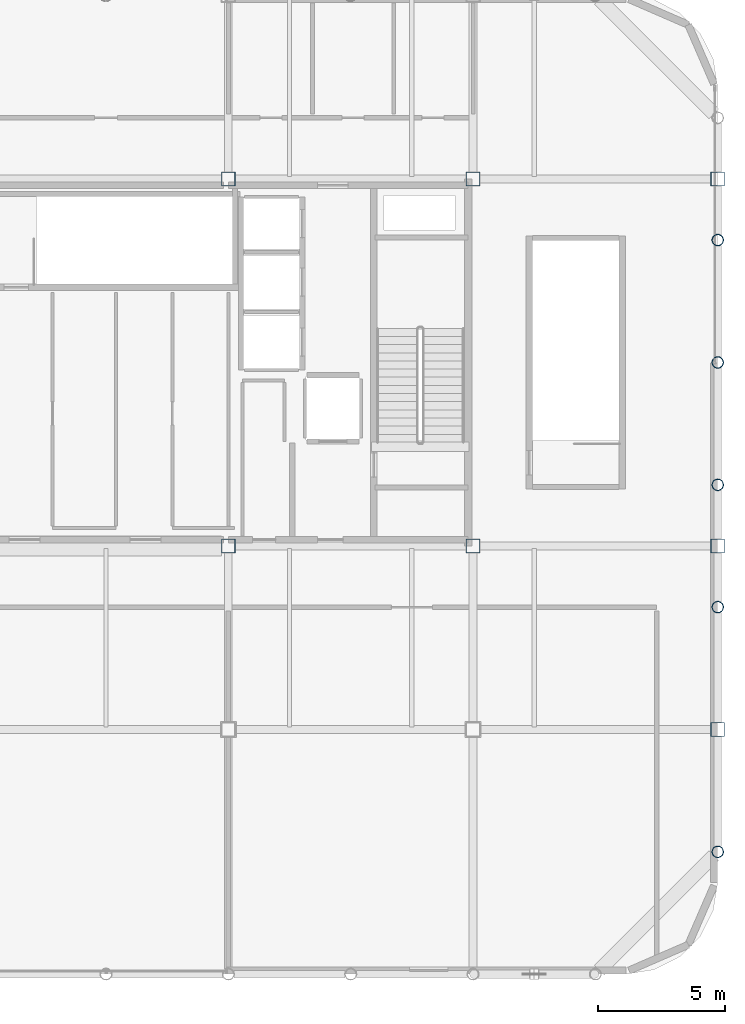
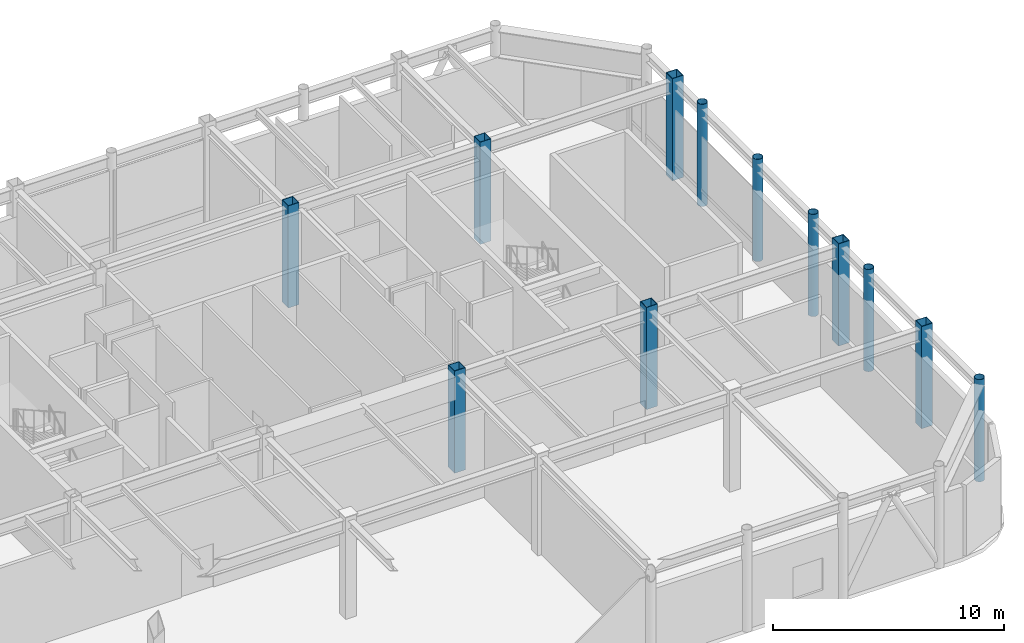
# One storey, part 2 of 21: 12 columns.
"""IFC4 building model written with IfcOpenShell, lengths in metres."""

from ifc_helpers import new_model, si_unit, direction, frame, origin, origin_2d, place, context, subcontext, project, spatial, hollow_rectangle, hollow_circle, extrude, material, material_profile, profile_set, type_object, element, save


model = new_model("IFC4")

# Units and contexts
model_context = context("Model", 3, precision=1e-05, world=origin(), true_north=direction((0.0, 1.0)))
body_context = subcontext(model_context, "Body", "Model", "MODEL_VIEW")
ifc_project = project(units=[si_unit("LENGTHUNIT", "METRE"), si_unit("AREAUNIT", "SQUARE_METRE"), si_unit("VOLUMEUNIT", "CUBIC_METRE"), si_unit("PLANEANGLEUNIT", "RADIAN"), si_unit("MASSUNIT", "GRAM", prefix="KILO")], contexts=[model_context])

# Site, building, storey
site_placement = place(None, origin())
site = spatial("IfcSite", under=ifc_project, at=site_placement, CompositionType="ELEMENT")
building_placement = place(site_placement, origin())
building = spatial("IfcBuilding", under=site, at=building_placement, Name="Kallvorn Hotel Tower", CompositionType="ELEMENT")
storey_placement = place(building_placement, frame((0.0, 0.0, 300.60009765625)))
storey = spatial("IfcBuildingStorey", under=building, at=storey_placement, Name="L74", CompositionType="ELEMENT", Elevation=300.60009765625)

# Columns
ifc_material_1 = material(Name="Structural steel S355J2H", Category="steel")
ifc_material_profile_1 = material_profile(ifc_material_1, hollow_circle(Radius=0.228515625, WallThickness=0.02001953125, at=origin_2d()), Name="CHS 457x20")
ifc_profile_set_1 = profile_set([ifc_material_profile_1], Name="Structural steel S355J2H")
column_type_1 = type_object("IfcColumnType", Name="COL_CHS_457", PredefinedType="COLUMN", material=ifc_profile_set_1)
for number, where, z_axis, x_axis, name in (
    (1, (24.0, -19.199951171875, 0.0), (0.0, 0.0, 1.0), (1.0, 0.0, 0.0), "L74 Exoskeleton Column EC23"),
    (2, (24.0, -9.60009765625, 0.0), (0.0, 0.0, 1.0), (1.0, 0.0, 0.0), "L74 Exoskeleton Column EC24"),
    (3, (24.0, -4.800048828125, 0.0), (0.0, 0.0, 1.0), (1.0, 0.0, 0.0), "L74 Exoskeleton Column EC25"),
    (4, (24.0, 0.0, 0.0), (0.0, 0.0, 1.0), (1.0, 0.0, 0.0), "L74 Exoskeleton Column EC26"),
    (5, (24.0, 4.800048828125, 0.0), (0.0, 0.0, 1.0), (1.0, 0.0, 0.0), "L74 Exoskeleton Column EC27"),
):
    element("IfcColumn", number, at=place(storey_placement, frame(where, z_axis=z_axis, x_axis=x_axis)), inside=storey, type_object=column_type_1, Name=name, PredefinedType="COLUMN", context=body_context, shape_type="SweptSolid", body=[
        extrude(hollow_circle(Radius=0.228515625, WallThickness=0.02001953125, at=origin_2d()), origin(), (0.0, 0.0, 1.0), 5.39990234375),
    ])
ifc_material_2 = material(Name="Structural steel S355J2H", Category="steel")
ifc_material_profile_2 = material_profile(ifc_material_2, hollow_rectangle(XDim=0.550048828125, YDim=0.550048828125, WallThickness=0.02490234375, at=origin_2d()), Name="RHS 550x550x25")
ifc_profile_set_2 = profile_set([ifc_material_profile_2], Name="Structural steel S355J2H")
column_type_2 = type_object("IfcColumnType", Name="COL_RHS_550", PredefinedType="COLUMN", material=ifc_profile_set_2)
for number, where, z_axis, x_axis, name in (
    (6, (4.800048828125, -7.199951171875, 0.0), (0.0, 0.0, 1.0), (1.0, 0.0, 0.0), "L74 Inner Column IC14"),
    (7, (4.800048828125, 7.199951171875, 0.0), (0.0, 0.0, 1.0), (1.0, 0.0, 0.0), "L74 Inner Column IC15"),
    (8, (14.39990234375, -7.199951171875, 0.0), (0.0, 0.0, 1.0), (1.0, 0.0, 0.0), "L74 Inner Column IC18"),
    (9, (14.39990234375, 7.199951171875, 0.0), (0.0, 0.0, 1.0), (1.0, 0.0, 0.0), "L74 Inner Column IC19"),
    (10, (24.0, -14.39990234375, 0.0), (0.0, 0.0, 1.0), (1.0, 0.0, 0.0), "L74 Inner Column IC21"),
    (11, (24.0, -7.199951171875, 0.0), (0.0, 0.0, 1.0), (1.0, 0.0, 0.0), "L74 Inner Column IC22"),
    (12, (24.0, 7.199951171875, 0.0), (0.0, 0.0, 1.0), (1.0, 0.0, 0.0), "L74 Inner Column IC23"),
):
    element("IfcColumn", number, at=place(storey_placement, frame(where, z_axis=z_axis, x_axis=x_axis)), inside=storey, type_object=column_type_2, Name=name, PredefinedType="COLUMN", context=body_context, shape_type="SweptSolid", body=[
        extrude(hollow_rectangle(XDim=0.550048828125, YDim=0.550048828125, WallThickness=0.02490234375, at=origin_2d()), origin(), (0.0, 0.0, 1.0), 5.39990234375),
    ])

save(model, "model.ifc")
